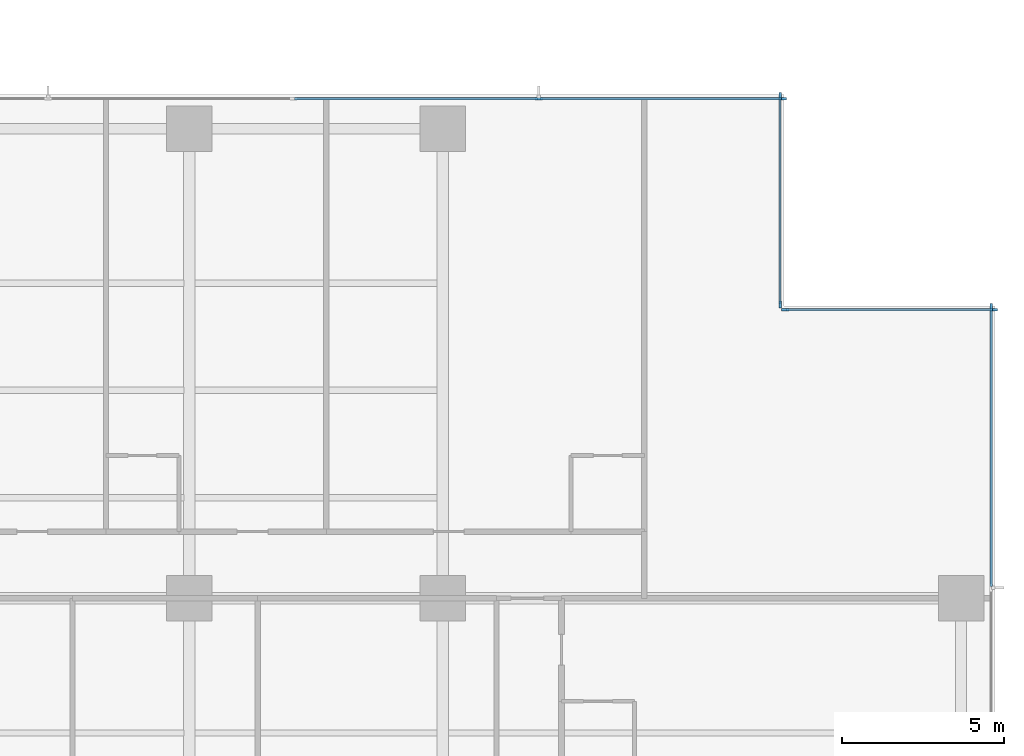
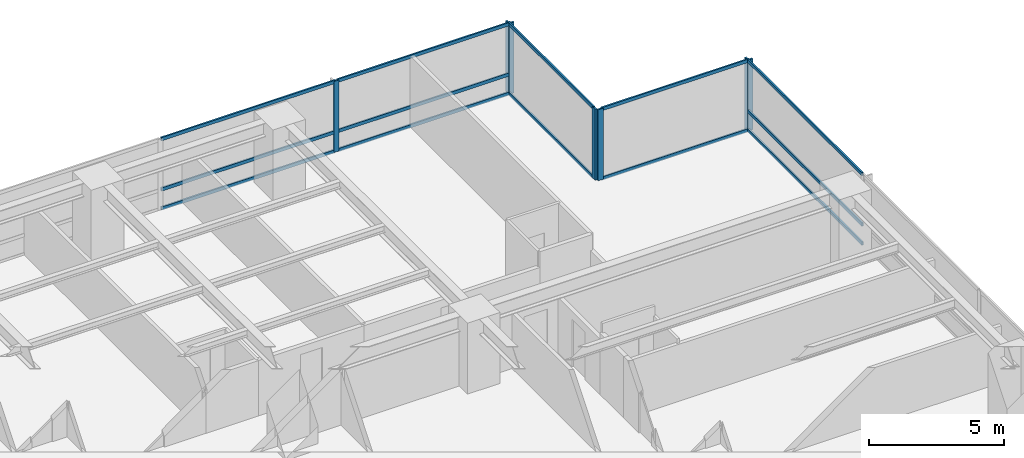
# One storey, part 5 of 17: 20 members, 4 elements without a shape of their own.
"""IFC4 building model written with IfcOpenShell, lengths in metres."""

from ifc_helpers import new_model, si_unit, direction, frame, origin, origin_2d, place, context, subcontext, project, spatial, rectangle, extrude, material, layer, layer_set, material_profile, profile_set, type_object, element, aggregate, save


model = new_model("IFC4")

# Units and contexts
model_context = context("Model", 3, precision=1e-05, world=origin(), true_north=direction((0.0, 1.0)))
body_context = subcontext(model_context, "Body", "Model", "MODEL_VIEW")
ifc_project = project(units=[si_unit("LENGTHUNIT", "METRE"), si_unit("AREAUNIT", "SQUARE_METRE"), si_unit("VOLUMEUNIT", "CUBIC_METRE"), si_unit("PLANEANGLEUNIT", "RADIAN"), si_unit("MASSUNIT", "GRAM", prefix="KILO")], contexts=[model_context])

# Site, building, storey
site_placement = place(None, origin())
site = spatial("IfcSite", under=ifc_project, at=site_placement, CompositionType="ELEMENT")
building_placement = place(site_placement, origin())
building = spatial("IfcBuilding", under=site, at=building_placement, Name="Qalmaran Belvedere Hotel", CompositionType="ELEMENT")
storey_placement = place(building_placement, frame((0.0, 0.0, 33.39990234375)))
storey = spatial("IfcBuildingStorey", under=building, at=storey_placement, Name="L07", CompositionType="ELEMENT", Elevation=33.39990234375)

# Curtain wall, member
ifc_material = material(Name="Anodised Bronze Aluminium", Category="aluminium")
ifc_layer = layer(ifc_material, 0.2099609375, Name="Anodised Bronze Aluminium")
ifc_layer_set = layer_set([ifc_layer], Name="Anodised Bronze Aluminium")
curtain_wall_type = type_object("IfcCurtainWallType", Name="CW2-TOWER-LOWER", PredefinedType="NOTDEFINED", material=ifc_layer_set)
curtain_wall_1_placement = place(storey_placement, origin())
curtain_wall_1 = element("IfcCurtainWall", 1, at=curtain_wall_1_placement, inside=storey, type_object=curtain_wall_type, Name="L07 Curtain Wall CW2", PredefinedType="NOTDEFINED")
ifc_material_profile_1 = material_profile(ifc_material, rectangle(XDim=0.074951171875, YDim=0.219970703125, at=origin_2d()), Name="CWM75X220")
ifc_profile_set_1 = profile_set([ifc_material_profile_1], Name="Anodised Bronze Aluminium")
member_type_1 = type_object("IfcMemberType", Name="CWM-75X220", PredefinedType="MULLION", material=ifc_profile_set_1)
member_1_placement = place(storey_placement, frame((61.679931640625, 41.96240234375, 0.0), z_axis=(0.0, 0.0, 1.0), x_axis=(-1.0, 0.0, 0.0)))
member_1 = element("IfcMember", 2, at=member_1_placement, type_object=member_type_1, Name="CW2 mullion 5", PredefinedType="MULLION", context=body_context, shape_type="SweptSolid", body=[
    extrude(rectangle(XDim=0.074951171875, YDim=0.219970703125, at=origin_2d()), origin(), (0.0, 0.0, 1.0), 3.22021484375),
])

# Curtain wall, members
curtain_wall_2_placement = place(storey_placement, origin())
curtain_wall_2 = element("IfcCurtainWall", 3, at=curtain_wall_2_placement, inside=storey, type_object=curtain_wall_type, Name="L07 Curtain Wall CW2", PredefinedType="NOTDEFINED")
member_2_placement = place(storey_placement, frame((61.762451171875, 41.8798828125, 0.0), z_axis=(0.0, 0.0, 1.0), x_axis=(0.0, -1.0, 0.0)))
member_2 = element("IfcMember", 4, at=member_2_placement, type_object=member_type_1, Name="CW2 mullion 1", PredefinedType="MULLION", context=body_context, shape_type="SweptSolid", body=[
    extrude(rectangle(XDim=0.074951171875, YDim=0.219970703125, at=origin_2d()), origin(), (0.0, 0.0, 1.0), 3.22021484375),
])
member_3_placement = place(storey_placement, frame((55.33740234375, 41.8798828125, 0.0), z_axis=(0.0, 0.0, 1.0), x_axis=(0.0, -1.0, 0.0)))
member_3 = element("IfcMember", 5, at=member_3_placement, type_object=member_type_1, Name="CW2 mullion 2", PredefinedType="MULLION", context=body_context, shape_type="SweptSolid", body=[
    extrude(rectangle(XDim=0.074951171875, YDim=0.219970703125, at=origin_2d()), origin(), (0.0, 0.0, 1.0), 3.22021484375),
])

curtain_wall_3_placement = place(storey_placement, origin())
curtain_wall_3 = element("IfcCurtainWall", 6, at=curtain_wall_3_placement, inside=storey, type_object=curtain_wall_type, Name="L07 Curtain Wall CW2", PredefinedType="NOTDEFINED")
member_4_placement = place(storey_placement, frame((55.179931640625, 42.03759765625, 0.0), z_axis=(0.0, 0.0, 1.0), x_axis=(-1.0, 0.0, 0.0)))
member_4 = element("IfcMember", 7, at=member_4_placement, type_object=member_type_1, Name="CW2 mullion 1", PredefinedType="MULLION", context=body_context, shape_type="SweptSolid", body=[
    extrude(rectangle(XDim=0.074951171875, YDim=0.219970703125, at=origin_2d()), origin(), (0.0, 0.0, 1.0), 3.22021484375),
])
member_5_placement = place(storey_placement, frame((55.179931640625, 48.46240234375, 0.0), z_axis=(0.0, 0.0, 1.0), x_axis=(-1.0, 0.0, 0.0)))
member_5 = element("IfcMember", 8, at=member_5_placement, type_object=member_type_1, Name="CW2 mullion 2", PredefinedType="MULLION", context=body_context, shape_type="SweptSolid", body=[
    extrude(rectangle(XDim=0.074951171875, YDim=0.219970703125, at=origin_2d()), origin(), (0.0, 0.0, 1.0), 3.22021484375),
])

curtain_wall_4_placement = place(storey_placement, origin())
curtain_wall_4 = element("IfcCurtainWall", 9, at=curtain_wall_4_placement, inside=storey, type_object=curtain_wall_type, Name="L07 Curtain Wall CW2", PredefinedType="NOTDEFINED")
member_6_placement = place(storey_placement, frame((55.262451171875, 48.3798828125, 0.0), z_axis=(0.0, 0.0, 1.0), x_axis=(0.0, -1.0, 0.0)))
member_6 = element("IfcMember", 10, at=member_6_placement, type_object=member_type_1, Name="CW2 mullion 1", PredefinedType="MULLION", context=body_context, shape_type="SweptSolid", body=[
    extrude(rectangle(XDim=0.074951171875, YDim=0.219970703125, at=origin_2d()), origin(), (0.0, 0.0, 1.0), 3.22021484375),
])
member_7_placement = place(storey_placement, frame((47.75, 48.3798828125, 0.0), z_axis=(0.0, 0.0, 1.0), x_axis=(0.0, -1.0, 0.0)))
member_7 = element("IfcMember", 11, at=member_7_placement, type_object=member_type_1, Name="CW2 mullion 2", PredefinedType="MULLION", context=body_context, shape_type="SweptSolid", body=[
    extrude(rectangle(XDim=0.074951171875, YDim=0.219970703125, at=origin_2d()), origin(), (0.0, 0.0, 1.0), 3.22021484375),
])

# Member
ifc_material_profile_2 = material_profile(ifc_material, rectangle(XDim=0.070068359375, YDim=0.14990234375, at=origin_2d()), Name="CWT70X150")
ifc_profile_set_2 = profile_set([ifc_material_profile_2], Name="Anodised Bronze Aluminium")
member_type_2 = type_object("IfcMemberType", Name="CWT-70X150", PredefinedType="USERDEFINED", material=ifc_profile_set_2)
member_8_placement = place(storey_placement, frame((61.679931640625, 33.362548828125, 0.03515625), z_axis=(0.0, 1.0, 0.0), x_axis=(-1.0, 0.0, 0.0)))
member_8 = element("IfcMember", 12, at=member_8_placement, type_object=member_type_2, Name="CW2 transom 4.1", ObjectType="TRANSOM", PredefinedType="USERDEFINED", context=body_context, shape_type="SweptSolid", body=[
    extrude(rectangle(XDim=0.070068359375, YDim=0.14990234375, at=origin_2d()), origin(), (0.0, 0.0, 1.0), 8.5625),
])

member_9_placement = place(storey_placement, frame((61.679931640625, 33.362548828125, 0.901611328125), z_axis=(0.0, 1.0, 0.0), x_axis=(-1.0, 0.0, 0.0)))
member_9 = element("IfcMember", 13, at=member_9_placement, type_object=member_type_2, Name="CW2 transom 4.2", ObjectType="TRANSOM", PredefinedType="USERDEFINED", context=body_context, shape_type="SweptSolid", body=[
    extrude(rectangle(XDim=0.070068359375, YDim=0.14990234375, at=origin_2d()), origin(), (0.0, 0.0, 1.0), 8.5625),
])

member_10_placement = place(storey_placement, frame((61.679931640625, 33.362548828125, 3.18505859375), z_axis=(0.0, 1.0, 0.0), x_axis=(-1.0, 0.0, 0.0)))
member_10 = element("IfcMember", 14, at=member_10_placement, type_object=member_type_2, Name="CW2 transom 4.3", ObjectType="TRANSOM", PredefinedType="USERDEFINED", context=body_context, shape_type="SweptSolid", body=[
    extrude(rectangle(XDim=0.070068359375, YDim=0.14990234375, at=origin_2d()), origin(), (0.0, 0.0, 1.0), 8.5625),
])

aggregate(curtain_wall_1, [member_1, member_8, member_9, member_10])

member_11_placement = place(storey_placement, frame((61.72509765625, 41.8798828125, 0.03515625), z_axis=(-1.0, 0.0, 0.0), x_axis=(0.0, -1.0, 0.0)))
member_11 = element("IfcMember", 15, at=member_11_placement, type_object=member_type_2, Name="CW2 transom 1.1", ObjectType="TRANSOM", PredefinedType="USERDEFINED", context=body_context, shape_type="SweptSolid", body=[
    extrude(rectangle(XDim=0.070068359375, YDim=0.14990234375, at=origin_2d()), origin(), (0.0, 0.0, 1.0), 6.35009765625),
])

member_12_placement = place(storey_placement, frame((61.72509765625, 41.8798828125, 3.18505859375), z_axis=(-1.0, 0.0, 0.0), x_axis=(0.0, -1.0, 0.0)))
member_12 = element("IfcMember", 16, at=member_12_placement, type_object=member_type_2, Name="CW2 transom 1.2", ObjectType="TRANSOM", PredefinedType="USERDEFINED", context=body_context, shape_type="SweptSolid", body=[
    extrude(rectangle(XDim=0.070068359375, YDim=0.14990234375, at=origin_2d()), origin(), (0.0, 0.0, 1.0), 6.35009765625),
])

aggregate(curtain_wall_2, [member_2, member_3, member_11, member_12])

member_13_placement = place(storey_placement, frame((55.179931640625, 42.074951171875, 0.03515625), z_axis=(0.0, 1.0, 0.0), x_axis=(-1.0, 0.0, 0.0)))
member_13 = element("IfcMember", 17, at=member_13_placement, type_object=member_type_2, Name="CW2 transom 1.1", ObjectType="TRANSOM", PredefinedType="USERDEFINED", context=body_context, shape_type="SweptSolid", body=[
    extrude(rectangle(XDim=0.070068359375, YDim=0.14990234375, at=origin_2d()), origin(), (0.0, 0.0, 1.0), 6.35009765625),
])

member_14_placement = place(storey_placement, frame((55.179931640625, 42.074951171875, 3.18505859375), z_axis=(0.0, 1.0, 0.0), x_axis=(-1.0, 0.0, 0.0)))
member_14 = element("IfcMember", 18, at=member_14_placement, type_object=member_type_2, Name="CW2 transom 1.2", ObjectType="TRANSOM", PredefinedType="USERDEFINED", context=body_context, shape_type="SweptSolid", body=[
    extrude(rectangle(XDim=0.070068359375, YDim=0.14990234375, at=origin_2d()), origin(), (0.0, 0.0, 1.0), 6.35009765625),
])

aggregate(curtain_wall_3, [member_4, member_5, member_13, member_14])

member_15_placement = place(storey_placement, frame((55.22509765625, 48.3798828125, 0.03515625), z_axis=(-1.0, 0.0, 0.0), x_axis=(0.0, -1.0, 0.0)))
member_15 = element("IfcMember", 19, at=member_15_placement, type_object=member_type_2, Name="CW2 transom 1.1", ObjectType="TRANSOM", PredefinedType="USERDEFINED", context=body_context, shape_type="SweptSolid", body=[
    extrude(rectangle(XDim=0.070068359375, YDim=0.14990234375, at=origin_2d()), origin(), (0.0, 0.0, 1.0), 7.4375),
])

member_16_placement = place(storey_placement, frame((55.22509765625, 48.3798828125, 0.901611328125), z_axis=(-1.0, 0.0, 0.0), x_axis=(0.0, -1.0, 0.0)))
member_16 = element("IfcMember", 20, at=member_16_placement, type_object=member_type_2, Name="CW2 transom 1.2", ObjectType="TRANSOM", PredefinedType="USERDEFINED", context=body_context, shape_type="SweptSolid", body=[
    extrude(rectangle(XDim=0.070068359375, YDim=0.14990234375, at=origin_2d()), origin(), (0.0, 0.0, 1.0), 7.4375),
])

member_17_placement = place(storey_placement, frame((55.22509765625, 48.3798828125, 3.18505859375), z_axis=(-1.0, 0.0, 0.0), x_axis=(0.0, -1.0, 0.0)))
member_17 = element("IfcMember", 21, at=member_17_placement, type_object=member_type_2, Name="CW2 transom 1.3", ObjectType="TRANSOM", PredefinedType="USERDEFINED", context=body_context, shape_type="SweptSolid", body=[
    extrude(rectangle(XDim=0.070068359375, YDim=0.14990234375, at=origin_2d()), origin(), (0.0, 0.0, 1.0), 7.4375),
])

member_18_placement = place(storey_placement, frame((47.71240234375, 48.3798828125, 0.03515625), z_axis=(-1.0, 0.0, 0.0), x_axis=(0.0, -1.0, 0.0)))
member_18 = element("IfcMember", 22, at=member_18_placement, type_object=member_type_2, Name="CW2 transom 2.1", ObjectType="TRANSOM", PredefinedType="USERDEFINED", context=body_context, shape_type="SweptSolid", body=[
    extrude(rectangle(XDim=0.070068359375, YDim=0.14990234375, at=origin_2d()), origin(), (0.0, 0.0, 1.0), 7.474853515625),
])

member_19_placement = place(storey_placement, frame((47.71240234375, 48.3798828125, 0.901611328125), z_axis=(-1.0, 0.0, 0.0), x_axis=(0.0, -1.0, 0.0)))
member_19 = element("IfcMember", 23, at=member_19_placement, type_object=member_type_2, Name="CW2 transom 2.2", ObjectType="TRANSOM", PredefinedType="USERDEFINED", context=body_context, shape_type="SweptSolid", body=[
    extrude(rectangle(XDim=0.070068359375, YDim=0.14990234375, at=origin_2d()), origin(), (0.0, 0.0, 1.0), 7.474853515625),
])

member_20_placement = place(storey_placement, frame((47.71240234375, 48.3798828125, 3.18505859375), z_axis=(-1.0, 0.0, 0.0), x_axis=(0.0, -1.0, 0.0)))
member_20 = element("IfcMember", 24, at=member_20_placement, type_object=member_type_2, Name="CW2 transom 2.3", ObjectType="TRANSOM", PredefinedType="USERDEFINED", context=body_context, shape_type="SweptSolid", body=[
    extrude(rectangle(XDim=0.070068359375, YDim=0.14990234375, at=origin_2d()), origin(), (0.0, 0.0, 1.0), 7.474853515625),
])

aggregate(curtain_wall_4, [member_6, member_7, member_15, member_16, member_17, member_18, member_19, member_20])

save(model, "model.ifc")
